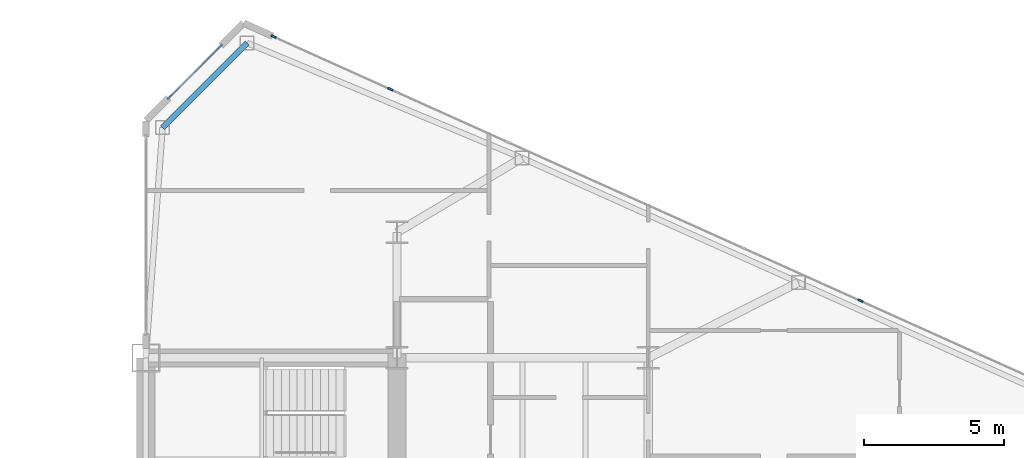
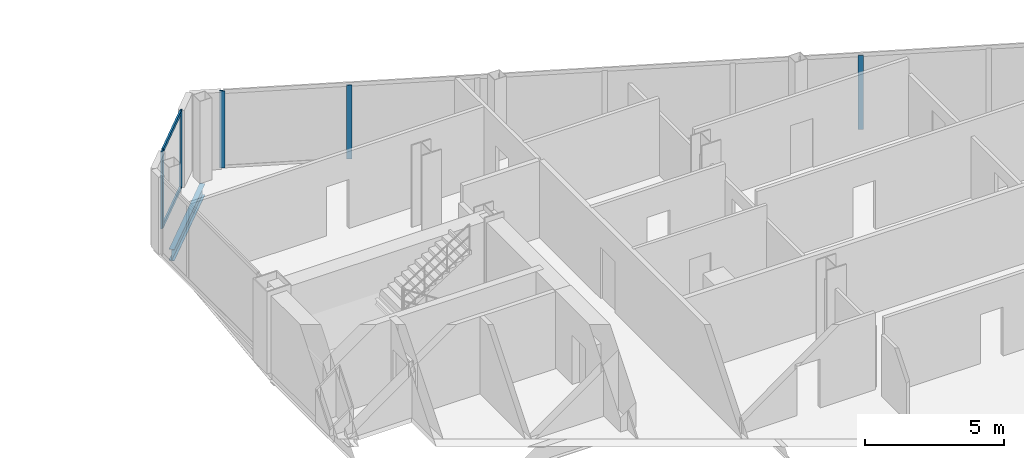
# One storey, part 15 of 27: 7 members, 1 beam, 2 elements without a shape of their own.
"""IFC4 building model written with IfcOpenShell, lengths in metres."""

from ifc_helpers import new_model, si_unit, direction, frame, origin, origin_2d, place, context, subcontext, project, spatial, rectangle, i_section, extrude, source, transform, mapped, material, layer, layer_set, material_profile, profile_set, type_object, type_shapes, element, aggregate, save


model = new_model("IFC4")

# Units and contexts
model_context = context("Model", 3, precision=1e-05, world=origin(), true_north=direction((0.0, 1.0)))
body_context = subcontext(model_context, "Body", "Model", "MODEL_VIEW")
ifc_project = project(units=[si_unit("LENGTHUNIT", "METRE"), si_unit("AREAUNIT", "SQUARE_METRE"), si_unit("VOLUMEUNIT", "CUBIC_METRE"), si_unit("PLANEANGLEUNIT", "RADIAN"), si_unit("MASSUNIT", "GRAM", prefix="KILO")], contexts=[model_context])

# Site, building, storey
site_placement = place(None, origin())
site = spatial("IfcSite", under=ifc_project, at=site_placement, CompositionType="ELEMENT")
building_placement = place(site_placement, origin())
building = spatial("IfcBuilding", under=site, at=building_placement, Name="Seokmaru Belvedere", CompositionType="ELEMENT")
storey_placement = place(building_placement, frame((0.0, 0.0, 69.300048828125)))
storey = spatial("IfcBuildingStorey", under=building, at=storey_placement, Name="L18", CompositionType="ELEMENT", Elevation=69.300048828125)

# Beam
ifc_material_1 = material(Name="Steel SM355 (355 MPa)", Category="steel")
ifc_material_profile_1 = material_profile(ifc_material_1, i_section(OverallWidth=0.199951171875, OverallDepth=0.5, WebThickness=0.010009765625, FlangeThickness=0.01611328125, at=origin_2d()), Name="H-500x200x10x16")
ifc_profile_set_1 = profile_set([ifc_material_profile_1], Name="Steel SM355 (355 MPa)")
beam_type = type_object("IfcBeamType", Name="Perimeter Spandrel Beam H-500", PredefinedType="SPANDREL", material=ifc_profile_set_1)
shared_shape_1 = source(origin(), body_context, "Body", "SweptSolid", [
    extrude(i_section(OverallWidth=0.199951171875, OverallDepth=0.5, WebThickness=0.010009765625, FlangeThickness=0.01611328125, at=origin_2d()), origin(), (0.0, 0.0, 1.0), 4.287109375),
])
type_shapes(beam_type, [shared_shape_1])
beam_placement = place(storey_placement, frame((31.13134765625, 24.782958984375, -0.469970703125), z_axis=(-0.707078306132, -0.707135255094, 0.0), x_axis=(0.707135255094, -0.707078306132, 0.0)))
element("IfcBeam", 1, at=beam_placement, inside=storey, type_object=beam_type, Name="L18 E Shoulder Chamfer Spandrel N", PredefinedType="SPANDREL", context=body_context, shape_type="MappedRepresentation", body=[
    mapped(shared_shape_1, transform((0.0, 0.0, 0.0), scale=1.0)),
])

# Curtain wall, member
ifc_material_2 = material(Name="Bronze Triple Insulating Glass", Category="glass")
ifc_layer = layer(ifc_material_2, 0.195068359375)
ifc_layer_set = layer_set([ifc_layer], Name="Bronze Triple Insulating Glass")
curtain_wall_type = type_object("IfcCurtainWallType", Name="Lower-Mid Tapered Curtain Wall System CW-3", PredefinedType="NOTDEFINED", material=ifc_layer_set)
curtain_wall_1_placement = place(storey_placement, origin())
curtain_wall_1 = element("IfcCurtainWall", 2, at=curtain_wall_1_placement, inside=storey, type_object=curtain_wall_type, Name="L18 Curtain Wall EF3", PredefinedType="NOTDEFINED")
ifc_material_3 = material(Name="Anodised Bronze Aluminium", Category="aluminium")
ifc_material_profile_2 = material_profile(ifc_material_3, rectangle(XDim=0.070068359375, YDim=0.195068359375, at=origin_2d()), Name="CW-M-70x195")
ifc_profile_set_2 = profile_set([ifc_material_profile_2], Name="Anodised Bronze Aluminium")
member_type_1 = type_object("IfcMemberType", Name="Bronze Unitised Mullion 70x195", PredefinedType="MULLION", material=ifc_profile_set_2)
shared_shape_2 = source(origin(), body_context, "Body", "SweptSolid", [
    extrude(rectangle(XDim=0.070068359375, YDim=0.195068359375, at=origin_2d()), origin(), (0.0, 0.0, 1.0), 3.3798828125),
])
member_1_placement = place(storey_placement, frame((32.08056640625, 25.013671875, 0.0), z_axis=(0.0, 0.0, 1.0), x_axis=(-0.41036554765, -0.91192111353, 0.0)))
member_1 = element("IfcMember", 3, at=member_1_placement, type_object=member_type_1, Name="CW:L18:EF3 Mullion 10", PredefinedType="MULLION", context=body_context, shape_type="MappedRepresentation", body=[
    mapped(shared_shape_2, transform((0.0, 0.0, 0.0), scale=1.0)),
])

# Curtain wall, members
curtain_wall_2_placement = place(storey_placement, origin())
curtain_wall_2 = element("IfcCurtainWall", 4, at=curtain_wall_2_placement, inside=storey, type_object=curtain_wall_type, Name="L18 Curtain Wall EF4", PredefinedType="NOTDEFINED")
member_2_placement = place(storey_placement, frame((30.162109375, 24.662109375, 0.0), z_axis=(0.0, 0.0, 1.0), x_axis=(0.707106781187, -0.707106781187, 0.0)))
member_2 = element("IfcMember", 5, at=member_2_placement, type_object=member_type_1, Name="CW:L18:EF4 Mullion 1", PredefinedType="MULLION", context=body_context, shape_type="MappedRepresentation", body=[
    mapped(shared_shape_2, transform((0.0, 0.0, 0.0), scale=1.0)),
])
member_3_placement = place(storey_placement, frame((28.337890625, 22.837890625, 0.0), z_axis=(0.0, 0.0, 1.0), x_axis=(0.707106781187, -0.707106781187, 0.0)))
member_3 = element("IfcMember", 6, at=member_3_placement, type_object=member_type_1, Name="CW:L18:EF4 Mullion 2", PredefinedType="MULLION", context=body_context, shape_type="MappedRepresentation", body=[
    mapped(shared_shape_2, transform((0.0, 0.0, 0.0), scale=1.0)),
])
ifc_material_profile_3 = material_profile(ifc_material_3, rectangle(XDim=0.070068359375, YDim=0.1650390625, at=origin_2d()), Name="CW-T-70x165")
ifc_profile_set_3 = profile_set([ifc_material_profile_3], Name="Anodised Bronze Aluminium")
member_type_2 = type_object("IfcMemberType", Name="Bronze Unitised Transom 70x165", PredefinedType="USERDEFINED", material=ifc_profile_set_3)
shared_shape_3 = source(origin(), body_context, "Body", "SweptSolid", [
    extrude(rectangle(XDim=0.070068359375, YDim=0.1650390625, at=origin_2d()), origin(), (0.0, 0.0, 1.0), 2.509521484375),
])
type_shapes(member_type_2, [shared_shape_3])
member_4_placement = place(storey_placement, frame((30.13720703125, 24.63720703125, 0.034912109375), z_axis=(-0.707106781187, -0.707106781187, 0.0), x_axis=(0.707106781187, -0.707106781187, 0.0)))
member_4 = element("IfcMember", 7, at=member_4_placement, type_object=member_type_2, Name="CW:L18:EF4 Continuous Transom 1", ObjectType="TRANSOM", PredefinedType="USERDEFINED", context=body_context, shape_type="MappedRepresentation", body=[
    mapped(shared_shape_3, transform((0.0, 0.0, 0.0), scale=1.0)),
])
member_5_placement = place(storey_placement, frame((30.13720703125, 24.63720703125, 3.344970703125), z_axis=(-0.707106781187, -0.707106781187, 0.0), x_axis=(0.707106781187, -0.707106781187, 0.0)))
member_5 = element("IfcMember", 8, at=member_5_placement, type_object=member_type_2, Name="CW:L18:EF4 Continuous Transom 2", ObjectType="TRANSOM", PredefinedType="USERDEFINED", context=body_context, shape_type="MappedRepresentation", body=[
    mapped(shared_shape_3, transform((0.0, 0.0, 0.0), scale=1.0)),
])
aggregate(curtain_wall_2, [member_2, member_3, member_4, member_5])

# Member
shared_shape_4 = source(origin(), body_context, "Body", "SweptSolid", [
    extrude(rectangle(XDim=0.070068359375, YDim=0.195068359375, at=origin_2d()), origin(), (0.0, 0.0, 1.0), 3.239990234375),
])
type_shapes(member_type_1, [shared_shape_2, shared_shape_4])
member_6_placement = place(storey_placement, frame((53.105712890625, 15.552490234375, 0.070068359375), z_axis=(0.0, 0.0, 1.0), x_axis=(-0.41036554765, -0.91192111353, 0.0)))
member_6 = element("IfcMember", 9, at=member_6_placement, type_object=member_type_1, Name="CW:L18:EF3 Mullion 5", PredefinedType="MULLION", context=body_context, shape_type="MappedRepresentation", body=[
    mapped(shared_shape_4, transform((0.0, 0.0, 0.0), scale=1.0)),
])

member_7_placement = place(storey_placement, frame((36.260009765625, 23.133056640625, 0.070068359375), z_axis=(0.0, 0.0, 1.0), x_axis=(-0.41036554765, -0.91192111353, 0.0)))
member_7 = element("IfcMember", 10, at=member_7_placement, type_object=member_type_1, Name="CW:L18:EF3 Mullion 9", PredefinedType="MULLION", context=body_context, shape_type="MappedRepresentation", body=[
    mapped(shared_shape_4, transform((0.0, 0.0, 0.0), scale=1.0)),
])

aggregate(curtain_wall_1, [member_6, member_7, member_1])

save(model, "model.ifc")
